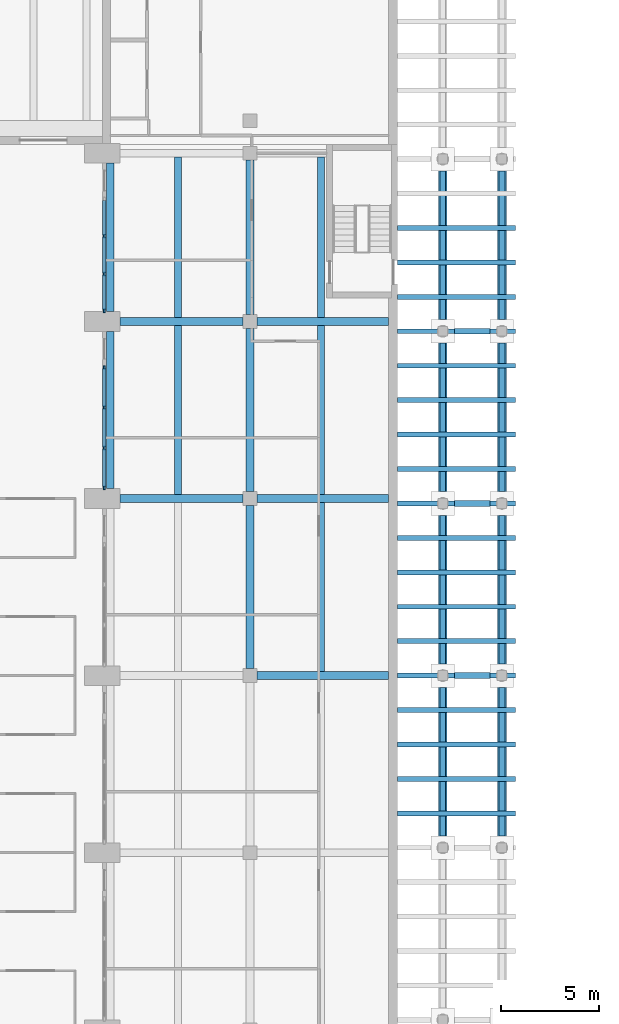
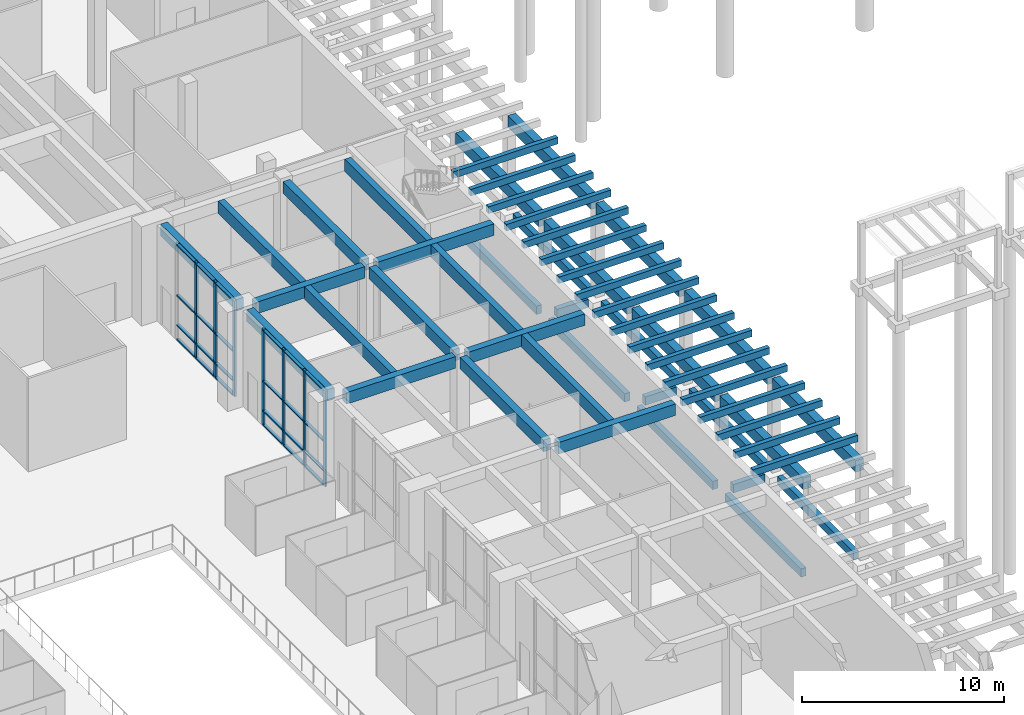
# One storey, part 19 of 51: 52 beams, 31 members, 2 elements without a shape of their own.
"""IFC4 building model written with IfcOpenShell, lengths in metres."""

from ifc_helpers import new_model, si_unit, direction, frame, origin, origin_2d, place, context, subcontext, project, spatial, rectangle, extrude, material, material_profile, profile_set, type_object, element, aggregate, save


model = new_model("IFC4")

# Units and contexts
model_context = context("Model", 3, precision=1e-05, world=origin(), true_north=direction((0.0, 1.0)))
body_context = subcontext(model_context, "Body", "Model", "MODEL_VIEW")
ifc_project = project(units=[si_unit("LENGTHUNIT", "METRE"), si_unit("AREAUNIT", "SQUARE_METRE"), si_unit("VOLUMEUNIT", "CUBIC_METRE"), si_unit("PLANEANGLEUNIT", "RADIAN"), si_unit("MASSUNIT", "GRAM", prefix="KILO")], contexts=[model_context])

# Site, building, storey
site_placement = place(None, origin())
site = spatial("IfcSite", under=ifc_project, at=site_placement, CompositionType="ELEMENT")
building_placement = place(site_placement, origin())
building = spatial("IfcBuilding", under=site, at=building_placement, Name="Elmora Arch Market Hall", CompositionType="ELEMENT")
storey_placement = place(building_placement, origin())
storey = spatial("IfcBuildingStorey", under=building, at=storey_placement, Name="L00", CompositionType="ELEMENT", Elevation=0.0)

# Beams
ifc_material_1 = material(Name="Concrete C32/40", Category="concrete")
ifc_material_profile_1 = material_profile(ifc_material_1, rectangle(XDim=0.25, YDim=0.39990234375, at=origin_2d()), Name="Canopy joist 250x400")
ifc_profile_set_1 = profile_set([ifc_material_profile_1], Name="Concrete C32/40")
beam_type_1 = type_object("IfcBeamType", Name="Canopy joist 250x400", PredefinedType="JOIST", material=ifc_profile_set_1)
for number, where, z_axis, x_axis, name in (
    (1, (58.0, 65.0, 5.64990234375), (1.0, 0.0, 0.0), (0.0, 1.0, 0.0), "Canopy joist PE-J27 L00.1"),
    (2, (58.0, 66.75, 5.64990234375), (1.0, 0.0, 0.0), (0.0, 1.0, 0.0), "Canopy joist PE-J28 L00.1"),
    (3, (58.0, 68.5, 5.64990234375), (1.0, 0.0, 0.0), (0.0, 1.0, 0.0), "Canopy joist PE-J29 L00.1"),
    (4, (58.0, 70.25, 5.64990234375), (1.0, 0.0, 0.0), (0.0, 1.0, 0.0), "Canopy joist PE-J30 L00.1"),
    (5, (58.0, 72.0, 5.64990234375), (1.0, 0.0, 0.0), (0.0, 1.0, 0.0), "Canopy joist PE-J31 L00.1"),
    (6, (58.0, 73.75, 5.64990234375), (1.0, 0.0, 0.0), (0.0, 1.0, 0.0), "Canopy joist PE-J32 L00.1"),
    (7, (58.0, 75.5, 5.64990234375), (1.0, 0.0, 0.0), (0.0, 1.0, 0.0), "Canopy joist PE-J33 L00.1"),
    (8, (58.0, 77.25, 5.64990234375), (1.0, 0.0, 0.0), (0.0, 1.0, 0.0), "Canopy joist PE-J34 L00.1"),
    (9, (58.0, 79.0, 5.64990234375), (1.0, 0.0, 0.0), (0.0, 1.0, 0.0), "Canopy joist PE-J35 L00.1"),
    (10, (58.0, 80.75, 5.64990234375), (1.0, 0.0, 0.0), (0.0, 1.0, 0.0), "Canopy joist PE-J36 L00.1"),
    (11, (58.0, 82.5, 5.64990234375), (1.0, 0.0, 0.0), (0.0, 1.0, 0.0), "Canopy joist PE-J37 L00.1"),
    (12, (58.0, 84.25, 5.64990234375), (1.0, 0.0, 0.0), (0.0, 1.0, 0.0), "Canopy joist PE-J38 L00.1"),
    (13, (58.0, 86.0, 5.64990234375), (1.0, 0.0, 0.0), (0.0, 1.0, 0.0), "Canopy joist PE-J39 L00.1"),
    (14, (58.0, 87.75, 5.64990234375), (1.0, 0.0, 0.0), (0.0, 1.0, 0.0), "Canopy joist PE-J40 L00.1"),
    (15, (58.0, 89.5, 5.64990234375), (1.0, 0.0, 0.0), (0.0, 1.0, 0.0), "Canopy joist PE-J41 L00.1"),
    (16, (58.0, 91.25, 5.64990234375), (1.0, 0.0, 0.0), (0.0, 1.0, 0.0), "Canopy joist PE-J42 L00.1"),
    (17, (58.0, 93.0, 5.64990234375), (1.0, 0.0, 0.0), (0.0, 1.0, 0.0), "Canopy joist PE-J43 L00.1"),
    (18, (58.0, 94.75, 5.64990234375), (1.0, 0.0, 0.0), (0.0, 1.0, 0.0), "Canopy joist PE-J44 L00.1"),
):
    element("IfcBeam", number, at=place(storey_placement, frame(where, z_axis=z_axis, x_axis=x_axis)), inside=storey, type_object=beam_type_1, Name=name, PredefinedType="JOIST", context=body_context, shape_type="SweptSolid", body=[
        extrude(rectangle(XDim=0.25, YDim=0.39990234375, at=origin_2d()), origin(), (0.0, 0.0, 1.0), 6.0),
    ])

# Curtain wall, members
ifc_material_2 = material(Name="Aluminium", Category="aluminium")
curtain_wall_type = type_object("IfcCurtainWallType", Name="Shopfront curtain wall", PredefinedType="NOTDEFINED", material=ifc_material_2)
curtain_wall_1_placement = place(storey_placement, origin())
curtain_wall_1 = element("IfcCurtainWall", 19, at=curtain_wall_1_placement, inside=storey, type_object=curtain_wall_type, Name="Shopfront E 7", PredefinedType="NOTDEFINED")
ifc_material_3 = material(Name="Aluminium", Category="aluminium")
ifc_material_profile_2 = material_profile(ifc_material_3, rectangle(XDim=0.10009765625, YDim=0.219970703125, at=origin_2d()), Name="AL 100x220")
ifc_profile_set_2 = profile_set([ifc_material_profile_2], Name="Aluminium")
member_type_1 = type_object("IfcMemberType", Name="Mullion 100x220", PredefinedType="MULLION", material=ifc_profile_set_2)
member_1_placement = place(storey_placement, frame((43.10009765625, 81.550048828125, 0.0), z_axis=(0.0, 0.0, 1.0), x_axis=(-1.0, 0.0, 0.0)))
member_1 = element("IfcMember", 20, at=member_1_placement, type_object=member_type_1, Name="CW3 mullion 1", PredefinedType="MULLION", context=body_context, shape_type="SweptSolid", body=[
    extrude(rectangle(XDim=0.10009765625, YDim=0.219970703125, at=origin_2d()), origin(), (0.0, 0.0, 1.0), 5.800048828125),
])
member_2_placement = place(storey_placement, frame((43.10009765625, 83.566650390625, 0.0), z_axis=(0.0, 0.0, 1.0), x_axis=(-1.0, 0.0, 0.0)))
member_2 = element("IfcMember", 21, at=member_2_placement, type_object=member_type_1, Name="CW3 mullion 2", PredefinedType="MULLION", context=body_context, shape_type="SweptSolid", body=[
    extrude(rectangle(XDim=0.10009765625, YDim=0.219970703125, at=origin_2d()), origin(), (0.0, 0.0, 1.0), 5.800048828125),
])
member_3_placement = place(storey_placement, frame((43.10009765625, 85.63330078125, 0.0), z_axis=(0.0, 0.0, 1.0), x_axis=(-1.0, 0.0, 0.0)))
member_3 = element("IfcMember", 22, at=member_3_placement, type_object=member_type_1, Name="CW3 mullion 3", PredefinedType="MULLION", context=body_context, shape_type="SweptSolid", body=[
    extrude(rectangle(XDim=0.10009765625, YDim=0.219970703125, at=origin_2d()), origin(), (0.0, 0.0, 1.0), 5.800048828125),
])
member_4_placement = place(storey_placement, frame((43.10009765625, 87.64990234375, 0.0), z_axis=(0.0, 0.0, 1.0), x_axis=(-1.0, 0.0, 0.0)))
member_4 = element("IfcMember", 23, at=member_4_placement, type_object=member_type_1, Name="CW3 mullion 4", PredefinedType="MULLION", context=body_context, shape_type="SweptSolid", body=[
    extrude(rectangle(XDim=0.10009765625, YDim=0.219970703125, at=origin_2d()), origin(), (0.0, 0.0, 1.0), 5.800048828125),
])

curtain_wall_2_placement = place(storey_placement, origin())
curtain_wall_2 = element("IfcCurtainWall", 24, at=curtain_wall_2_placement, inside=storey, type_object=curtain_wall_type, Name="Shopfront E 8", PredefinedType="NOTDEFINED")
member_5_placement = place(storey_placement, frame((43.10009765625, 90.550048828125, 0.0), z_axis=(0.0, 0.0, 1.0), x_axis=(-1.0, 0.0, 0.0)))
member_5 = element("IfcMember", 25, at=member_5_placement, type_object=member_type_1, Name="CW3 mullion 1", PredefinedType="MULLION", context=body_context, shape_type="SweptSolid", body=[
    extrude(rectangle(XDim=0.10009765625, YDim=0.219970703125, at=origin_2d()), origin(), (0.0, 0.0, 1.0), 5.800048828125),
])
member_6_placement = place(storey_placement, frame((43.10009765625, 92.416748046875, 0.0), z_axis=(0.0, 0.0, 1.0), x_axis=(-1.0, 0.0, 0.0)))
member_6 = element("IfcMember", 26, at=member_6_placement, type_object=member_type_1, Name="CW3 mullion 2", PredefinedType="MULLION", context=body_context, shape_type="SweptSolid", body=[
    extrude(rectangle(XDim=0.10009765625, YDim=0.219970703125, at=origin_2d()), origin(), (0.0, 0.0, 1.0), 5.800048828125),
])
member_7_placement = place(storey_placement, frame((43.10009765625, 94.333251953125, 0.0), z_axis=(0.0, 0.0, 1.0), x_axis=(-1.0, 0.0, 0.0)))
member_7 = element("IfcMember", 27, at=member_7_placement, type_object=member_type_1, Name="CW3 mullion 3", PredefinedType="MULLION", context=body_context, shape_type="SweptSolid", body=[
    extrude(rectangle(XDim=0.10009765625, YDim=0.219970703125, at=origin_2d()), origin(), (0.0, 0.0, 1.0), 5.800048828125),
])

# Beams
ifc_material_4 = material(Name="Concrete C32/40", Category="concrete")
ifc_material_profile_3 = material_profile(ifc_material_4, rectangle(XDim=0.300048828125, YDim=0.5, at=origin_2d()), Name="Pad tie beam 300x500")
ifc_profile_set_3 = profile_set([ifc_material_profile_3], Name="Concrete C32/40")
beam_type_2 = type_object("IfcBeamType", Name="Pad tie beam 300x500", PredefinedType="BEAM", material=ifc_profile_set_3)
for number, where, z_axis, x_axis, name in (
    (28, (60.89990234375, 72.0, -0.550048828125), (1.0, 0.0, 0.0), (0.0, 1.0, 0.0), "Pad tie beam 039"),
    (29, (60.89990234375, 80.75, -0.550048828125), (1.0, 0.0, 0.0), (0.0, 1.0, 0.0), "Pad tie beam 040"),
    (30, (60.89990234375, 89.5, -0.550048828125), (1.0, 0.0, 0.0), (0.0, 1.0, 0.0), "Pad tie beam 041"),
):
    element("IfcBeam", number, at=place(storey_placement, frame(where, z_axis=z_axis, x_axis=x_axis)), inside=storey, type_object=beam_type_2, Name=name, PredefinedType="BEAM", context=body_context, shape_type="SweptSolid", body=[
        extrude(rectangle(XDim=0.300048828125, YDim=0.5, at=origin_2d()), origin(), (0.0, 0.0, 1.0), 1.800048828125),
    ])
for number, where, z_axis, x_axis, name in (
    (31, (60.300048828125, 63.85009765625, -0.550048828125), (0.0, 1.0, 0.0), (-1.0, 0.0, 0.0), "Pad tie beam 051"),
    (32, (60.300048828125, 72.60009765625, -0.550048828125), (0.0, 1.0, 0.0), (-1.0, 0.0, 0.0), "Pad tie beam 052"),
    (33, (60.300048828125, 81.35009765625, -0.550048828125), (0.0, 1.0, 0.0), (-1.0, 0.0, 0.0), "Pad tie beam 053"),
    (34, (60.300048828125, 90.10009765625, -0.550048828125), (0.0, 1.0, 0.0), (-1.0, 0.0, 0.0), "Pad tie beam 054"),
    (35, (63.300048828125, 63.85009765625, -0.550048828125), (0.0, 1.0, 0.0), (-1.0, 0.0, 0.0), "Pad tie beam 063"),
    (36, (63.300048828125, 72.60009765625, -0.550048828125), (0.0, 1.0, 0.0), (-1.0, 0.0, 0.0), "Pad tie beam 064"),
    (37, (63.300048828125, 81.35009765625, -0.550048828125), (0.0, 1.0, 0.0), (-1.0, 0.0, 0.0), "Pad tie beam 065"),
    (38, (63.300048828125, 90.10009765625, -0.550048828125), (0.0, 1.0, 0.0), (-1.0, 0.0, 0.0), "Pad tie beam 066"),
):
    element("IfcBeam", number, at=place(storey_placement, frame(where, z_axis=z_axis, x_axis=x_axis)), inside=storey, type_object=beam_type_2, Name=name, PredefinedType="BEAM", context=body_context, shape_type="SweptSolid", body=[
        extrude(rectangle(XDim=0.300048828125, YDim=0.5, at=origin_2d()), origin(), (0.0, 0.0, 1.0), 7.5498046875),
    ])
ifc_material_5 = material(Name="Concrete C32/40", Category="concrete")
ifc_material_profile_4 = material_profile(ifc_material_5, rectangle(XDim=0.449951171875, YDim=0.699951171875, at=origin_2d()), Name="Passage girder 450x700")
ifc_profile_set_4 = profile_set([ifc_material_profile_4], Name="Concrete C32/40")
beam_type_3 = type_object("IfcBeamType", Name="Passage girder 450x700", PredefinedType="BEAM", material=ifc_profile_set_4)
for number, where, z_axis, x_axis, name in (
    (39, (60.300048828125, 63.5, 5.10009765625), (0.0, 1.0, 0.0), (-1.0, 0.0, 0.0), "Passage girder PASS-E-G1 L00.6"),
    (40, (60.300048828125, 72.25, 5.10009765625), (0.0, 1.0, 0.0), (-1.0, 0.0, 0.0), "Passage girder PASS-E-G1 L00.7"),
    (41, (60.300048828125, 81.0, 5.10009765625), (0.0, 1.0, 0.0), (-1.0, 0.0, 0.0), "Passage girder PASS-E-G1 L00.8"),
    (42, (60.300048828125, 89.75, 5.10009765625), (0.0, 1.0, 0.0), (-1.0, 0.0, 0.0), "Passage girder PASS-E-G1 L00.9"),
    (43, (63.300048828125, 63.5, 5.10009765625), (0.0, 1.0, 0.0), (-1.0, 0.0, 0.0), "Passage girder PASS-E-G2 L00.6"),
    (44, (63.300048828125, 72.25, 5.10009765625), (0.0, 1.0, 0.0), (-1.0, 0.0, 0.0), "Passage girder PASS-E-G2 L00.7"),
    (45, (63.300048828125, 81.0, 5.10009765625), (0.0, 1.0, 0.0), (-1.0, 0.0, 0.0), "Passage girder PASS-E-G2 L00.8"),
    (46, (63.300048828125, 89.75, 5.10009765625), (0.0, 1.0, 0.0), (-1.0, 0.0, 0.0), "Passage girder PASS-E-G2 L00.9"),
):
    element("IfcBeam", number, at=place(storey_placement, frame(where, z_axis=z_axis, x_axis=x_axis)), inside=storey, type_object=beam_type_3, Name=name, PredefinedType="BEAM", context=body_context, shape_type="SweptSolid", body=[
        extrude(rectangle(XDim=0.449951171875, YDim=0.699951171875, at=origin_2d()), origin(), (0.0, 0.0, 1.0), 8.25),
    ])

# Member
ifc_material_6 = material(Name="Aluminium", Category="aluminium")
ifc_material_profile_5 = material_profile(ifc_material_6, rectangle(XDim=0.179931640625, YDim=0.074951171875, at=origin_2d()), Name="AL 180x75")
ifc_profile_set_5 = profile_set([ifc_material_profile_5], Name="Aluminium")
member_type_2 = type_object("IfcMemberType", Name="Transom 180x75", PredefinedType="USERDEFINED", material=ifc_profile_set_5)
member_8_placement = place(storey_placement, frame((43.10009765625, 81.60009765625, 0.03759765625), z_axis=(0.0, 1.0, 0.0), x_axis=(-1.0, 0.0, 0.0)))
member_8 = element("IfcMember", 47, at=member_8_placement, type_object=member_type_2, Name="CW3 transom 1.1", ObjectType="TRANSOM", PredefinedType="USERDEFINED", context=body_context, shape_type="SweptSolid", body=[
    extrude(rectangle(XDim=0.179931640625, YDim=0.074951171875, at=origin_2d()), origin(), (0.0, 0.0, 1.0), 1.91650390625),
])

member_9_placement = place(storey_placement, frame((43.10009765625, 81.60009765625, 0.89990234375), z_axis=(0.0, 1.0, 0.0), x_axis=(-1.0, 0.0, 0.0)))
member_9 = element("IfcMember", 48, at=member_9_placement, type_object=member_type_2, Name="CW3 transom 1.2", ObjectType="TRANSOM", PredefinedType="USERDEFINED", context=body_context, shape_type="SweptSolid", body=[
    extrude(rectangle(XDim=0.179931640625, YDim=0.074951171875, at=origin_2d()), origin(), (0.0, 0.0, 1.0), 1.91650390625),
])

member_10_placement = place(storey_placement, frame((43.10009765625, 81.60009765625, 2.699951171875), z_axis=(0.0, 1.0, 0.0), x_axis=(-1.0, 0.0, 0.0)))
member_10 = element("IfcMember", 49, at=member_10_placement, type_object=member_type_2, Name="CW3 transom 1.3", ObjectType="TRANSOM", PredefinedType="USERDEFINED", context=body_context, shape_type="SweptSolid", body=[
    extrude(rectangle(XDim=0.179931640625, YDim=0.074951171875, at=origin_2d()), origin(), (0.0, 0.0, 1.0), 1.91650390625),
])

member_11_placement = place(storey_placement, frame((43.10009765625, 81.60009765625, 5.762451171875), z_axis=(0.0, 1.0, 0.0), x_axis=(-1.0, 0.0, 0.0)))
member_11 = element("IfcMember", 50, at=member_11_placement, type_object=member_type_2, Name="CW3 transom 1.4", ObjectType="TRANSOM", PredefinedType="USERDEFINED", context=body_context, shape_type="SweptSolid", body=[
    extrude(rectangle(XDim=0.179931640625, YDim=0.074951171875, at=origin_2d()), origin(), (0.0, 0.0, 1.0), 1.91650390625),
])

member_12_placement = place(storey_placement, frame((43.10009765625, 83.61669921875, 0.03759765625), z_axis=(0.0, 1.0, 0.0), x_axis=(-1.0, 0.0, 0.0)))
member_12 = element("IfcMember", 51, at=member_12_placement, type_object=member_type_2, Name="CW3 transom 2.1", ObjectType="TRANSOM", PredefinedType="USERDEFINED", context=body_context, shape_type="SweptSolid", body=[
    extrude(rectangle(XDim=0.179931640625, YDim=0.074951171875, at=origin_2d()), origin(), (0.0, 0.0, 1.0), 1.966552734375),
])

member_13_placement = place(storey_placement, frame((43.10009765625, 83.61669921875, 0.89990234375), z_axis=(0.0, 1.0, 0.0), x_axis=(-1.0, 0.0, 0.0)))
member_13 = element("IfcMember", 52, at=member_13_placement, type_object=member_type_2, Name="CW3 transom 2.2", ObjectType="TRANSOM", PredefinedType="USERDEFINED", context=body_context, shape_type="SweptSolid", body=[
    extrude(rectangle(XDim=0.179931640625, YDim=0.074951171875, at=origin_2d()), origin(), (0.0, 0.0, 1.0), 1.966552734375),
])

member_14_placement = place(storey_placement, frame((43.10009765625, 83.61669921875, 2.699951171875), z_axis=(0.0, 1.0, 0.0), x_axis=(-1.0, 0.0, 0.0)))
member_14 = element("IfcMember", 53, at=member_14_placement, type_object=member_type_2, Name="CW3 transom 2.3", ObjectType="TRANSOM", PredefinedType="USERDEFINED", context=body_context, shape_type="SweptSolid", body=[
    extrude(rectangle(XDim=0.179931640625, YDim=0.074951171875, at=origin_2d()), origin(), (0.0, 0.0, 1.0), 1.966552734375),
])

member_15_placement = place(storey_placement, frame((43.10009765625, 83.61669921875, 5.762451171875), z_axis=(0.0, 1.0, 0.0), x_axis=(-1.0, 0.0, 0.0)))
member_15 = element("IfcMember", 54, at=member_15_placement, type_object=member_type_2, Name="CW3 transom 2.4", ObjectType="TRANSOM", PredefinedType="USERDEFINED", context=body_context, shape_type="SweptSolid", body=[
    extrude(rectangle(XDim=0.179931640625, YDim=0.074951171875, at=origin_2d()), origin(), (0.0, 0.0, 1.0), 1.966552734375),
])

member_16_placement = place(storey_placement, frame((43.10009765625, 85.683349609375, 0.03759765625), z_axis=(0.0, 1.0, 0.0), x_axis=(-1.0, 0.0, 0.0)))
member_16 = element("IfcMember", 55, at=member_16_placement, type_object=member_type_2, Name="CW3 transom 3.1", ObjectType="TRANSOM", PredefinedType="USERDEFINED", context=body_context, shape_type="SweptSolid", body=[
    extrude(rectangle(XDim=0.179931640625, YDim=0.074951171875, at=origin_2d()), origin(), (0.0, 0.0, 1.0), 1.916748046875),
])

member_17_placement = place(storey_placement, frame((43.10009765625, 85.683349609375, 0.89990234375), z_axis=(0.0, 1.0, 0.0), x_axis=(-1.0, 0.0, 0.0)))
member_17 = element("IfcMember", 56, at=member_17_placement, type_object=member_type_2, Name="CW3 transom 3.2", ObjectType="TRANSOM", PredefinedType="USERDEFINED", context=body_context, shape_type="SweptSolid", body=[
    extrude(rectangle(XDim=0.179931640625, YDim=0.074951171875, at=origin_2d()), origin(), (0.0, 0.0, 1.0), 1.916748046875),
])

member_18_placement = place(storey_placement, frame((43.10009765625, 85.683349609375, 2.699951171875), z_axis=(0.0, 1.0, 0.0), x_axis=(-1.0, 0.0, 0.0)))
member_18 = element("IfcMember", 57, at=member_18_placement, type_object=member_type_2, Name="CW3 transom 3.3", ObjectType="TRANSOM", PredefinedType="USERDEFINED", context=body_context, shape_type="SweptSolid", body=[
    extrude(rectangle(XDim=0.179931640625, YDim=0.074951171875, at=origin_2d()), origin(), (0.0, 0.0, 1.0), 1.916748046875),
])

member_19_placement = place(storey_placement, frame((43.10009765625, 85.683349609375, 5.762451171875), z_axis=(0.0, 1.0, 0.0), x_axis=(-1.0, 0.0, 0.0)))
member_19 = element("IfcMember", 58, at=member_19_placement, type_object=member_type_2, Name="CW3 transom 3.4", ObjectType="TRANSOM", PredefinedType="USERDEFINED", context=body_context, shape_type="SweptSolid", body=[
    extrude(rectangle(XDim=0.179931640625, YDim=0.074951171875, at=origin_2d()), origin(), (0.0, 0.0, 1.0), 1.916748046875),
])

aggregate(curtain_wall_1, [member_1, member_2, member_3, member_4, member_8, member_9, member_10, member_11, member_12, member_13, member_14, member_15, member_16, member_17, member_18, member_19])

member_20_placement = place(storey_placement, frame((43.10009765625, 90.60009765625, 0.03759765625), z_axis=(0.0, 1.0, 0.0), x_axis=(-1.0, 0.0, 0.0)))
member_20 = element("IfcMember", 59, at=member_20_placement, type_object=member_type_2, Name="CW3 transom 1.1", ObjectType="TRANSOM", PredefinedType="USERDEFINED", context=body_context, shape_type="SweptSolid", body=[
    extrude(rectangle(XDim=0.179931640625, YDim=0.074951171875, at=origin_2d()), origin(), (0.0, 0.0, 1.0), 1.7666015625),
])

member_21_placement = place(storey_placement, frame((43.10009765625, 90.60009765625, 0.89990234375), z_axis=(0.0, 1.0, 0.0), x_axis=(-1.0, 0.0, 0.0)))
member_21 = element("IfcMember", 60, at=member_21_placement, type_object=member_type_2, Name="CW3 transom 1.2", ObjectType="TRANSOM", PredefinedType="USERDEFINED", context=body_context, shape_type="SweptSolid", body=[
    extrude(rectangle(XDim=0.179931640625, YDim=0.074951171875, at=origin_2d()), origin(), (0.0, 0.0, 1.0), 1.7666015625),
])

member_22_placement = place(storey_placement, frame((43.10009765625, 90.60009765625, 2.699951171875), z_axis=(0.0, 1.0, 0.0), x_axis=(-1.0, 0.0, 0.0)))
member_22 = element("IfcMember", 61, at=member_22_placement, type_object=member_type_2, Name="CW3 transom 1.3", ObjectType="TRANSOM", PredefinedType="USERDEFINED", context=body_context, shape_type="SweptSolid", body=[
    extrude(rectangle(XDim=0.179931640625, YDim=0.074951171875, at=origin_2d()), origin(), (0.0, 0.0, 1.0), 1.7666015625),
])

member_23_placement = place(storey_placement, frame((43.10009765625, 90.60009765625, 5.762451171875), z_axis=(0.0, 1.0, 0.0), x_axis=(-1.0, 0.0, 0.0)))
member_23 = element("IfcMember", 62, at=member_23_placement, type_object=member_type_2, Name="CW3 transom 1.4", ObjectType="TRANSOM", PredefinedType="USERDEFINED", context=body_context, shape_type="SweptSolid", body=[
    extrude(rectangle(XDim=0.179931640625, YDim=0.074951171875, at=origin_2d()), origin(), (0.0, 0.0, 1.0), 1.7666015625),
])

member_24_placement = place(storey_placement, frame((43.10009765625, 92.466552734375, 0.03759765625), z_axis=(0.0, 1.0, 0.0), x_axis=(-1.0, 0.0, 0.0)))
member_24 = element("IfcMember", 63, at=member_24_placement, type_object=member_type_2, Name="CW3 transom 2.1", ObjectType="TRANSOM", PredefinedType="USERDEFINED", context=body_context, shape_type="SweptSolid", body=[
    extrude(rectangle(XDim=0.179931640625, YDim=0.074951171875, at=origin_2d()), origin(), (0.0, 0.0, 1.0), 1.81689453125),
])

member_25_placement = place(storey_placement, frame((43.10009765625, 92.466552734375, 0.89990234375), z_axis=(0.0, 1.0, 0.0), x_axis=(-1.0, 0.0, 0.0)))
member_25 = element("IfcMember", 64, at=member_25_placement, type_object=member_type_2, Name="CW3 transom 2.2", ObjectType="TRANSOM", PredefinedType="USERDEFINED", context=body_context, shape_type="SweptSolid", body=[
    extrude(rectangle(XDim=0.179931640625, YDim=0.074951171875, at=origin_2d()), origin(), (0.0, 0.0, 1.0), 1.81689453125),
])

member_26_placement = place(storey_placement, frame((43.10009765625, 92.466552734375, 2.699951171875), z_axis=(0.0, 1.0, 0.0), x_axis=(-1.0, 0.0, 0.0)))
member_26 = element("IfcMember", 65, at=member_26_placement, type_object=member_type_2, Name="CW3 transom 2.3", ObjectType="TRANSOM", PredefinedType="USERDEFINED", context=body_context, shape_type="SweptSolid", body=[
    extrude(rectangle(XDim=0.179931640625, YDim=0.074951171875, at=origin_2d()), origin(), (0.0, 0.0, 1.0), 1.81689453125),
])

member_27_placement = place(storey_placement, frame((43.10009765625, 92.466552734375, 5.762451171875), z_axis=(0.0, 1.0, 0.0), x_axis=(-1.0, 0.0, 0.0)))
member_27 = element("IfcMember", 66, at=member_27_placement, type_object=member_type_2, Name="CW3 transom 2.4", ObjectType="TRANSOM", PredefinedType="USERDEFINED", context=body_context, shape_type="SweptSolid", body=[
    extrude(rectangle(XDim=0.179931640625, YDim=0.074951171875, at=origin_2d()), origin(), (0.0, 0.0, 1.0), 1.81689453125),
])

member_28_placement = place(storey_placement, frame((43.10009765625, 94.38330078125, 0.03759765625), z_axis=(0.0, 1.0, 0.0), x_axis=(-1.0, 0.0, 0.0)))
member_28 = element("IfcMember", 67, at=member_28_placement, type_object=member_type_2, Name="CW3 transom 3.1", ObjectType="TRANSOM", PredefinedType="USERDEFINED", context=body_context, shape_type="SweptSolid", body=[
    extrude(rectangle(XDim=0.179931640625, YDim=0.074951171875, at=origin_2d()), origin(), (0.0, 0.0, 1.0), 1.7666015625),
])

member_29_placement = place(storey_placement, frame((43.10009765625, 94.38330078125, 0.89990234375), z_axis=(0.0, 1.0, 0.0), x_axis=(-1.0, 0.0, 0.0)))
member_29 = element("IfcMember", 68, at=member_29_placement, type_object=member_type_2, Name="CW3 transom 3.2", ObjectType="TRANSOM", PredefinedType="USERDEFINED", context=body_context, shape_type="SweptSolid", body=[
    extrude(rectangle(XDim=0.179931640625, YDim=0.074951171875, at=origin_2d()), origin(), (0.0, 0.0, 1.0), 1.7666015625),
])

member_30_placement = place(storey_placement, frame((43.10009765625, 94.38330078125, 2.699951171875), z_axis=(0.0, 1.0, 0.0), x_axis=(-1.0, 0.0, 0.0)))
member_30 = element("IfcMember", 69, at=member_30_placement, type_object=member_type_2, Name="CW3 transom 3.3", ObjectType="TRANSOM", PredefinedType="USERDEFINED", context=body_context, shape_type="SweptSolid", body=[
    extrude(rectangle(XDim=0.179931640625, YDim=0.074951171875, at=origin_2d()), origin(), (0.0, 0.0, 1.0), 1.7666015625),
])

member_31_placement = place(storey_placement, frame((43.10009765625, 94.38330078125, 5.762451171875), z_axis=(0.0, 1.0, 0.0), x_axis=(-1.0, 0.0, 0.0)))
member_31 = element("IfcMember", 70, at=member_31_placement, type_object=member_type_2, Name="CW3 transom 3.4", ObjectType="TRANSOM", PredefinedType="USERDEFINED", context=body_context, shape_type="SweptSolid", body=[
    extrude(rectangle(XDim=0.179931640625, YDim=0.074951171875, at=origin_2d()), origin(), (0.0, 0.0, 1.0), 1.7666015625),
])

aggregate(curtain_wall_2, [member_5, member_6, member_7, member_20, member_21, member_22, member_23, member_24, member_25, member_26, member_27, member_28, member_29, member_30, member_31])

# Beams
ifc_material_7 = material(Name="Concrete C32/40", Category="concrete")
ifc_material_profile_6 = material_profile(ifc_material_7, rectangle(XDim=0.39990234375, YDim=0.699951171875, at=origin_2d()), Name="Wing beam 400x700")
ifc_profile_set_6 = profile_set([ifc_material_profile_6], Name="Concrete C32/40")
beam_type_4 = type_object("IfcBeamType", Name="Wing beam 400x700", PredefinedType="BEAM", material=ifc_profile_set_6)
beam_1_placement = place(storey_placement, frame((50.85009765625, 72.0, 5.449951171875), z_axis=(1.0, 0.0, 0.0), x_axis=(0.0, 1.0, 0.0)))
element("IfcBeam", 71, at=beam_1_placement, inside=storey, type_object=beam_type_4, Name="Wing beam ER6 L00.2", PredefinedType="BEAM", context=body_context, shape_type="SweptSolid", body=[
    extrude(rectangle(XDim=0.39990234375, YDim=0.699951171875, at=origin_2d()), origin(), (0.0, 0.0, 1.0), 6.699951171875),
])
beam_2_placement = place(storey_placement, frame((43.89990234375, 81.0, 5.449951171875), z_axis=(1.0, 0.0, 0.0), x_axis=(0.0, 1.0, 0.0)))
element("IfcBeam", 72, at=beam_2_placement, inside=storey, type_object=beam_type_4, Name="Wing beam ER7 L00.1", PredefinedType="BEAM", context=body_context, shape_type="SweptSolid", body=[
    extrude(rectangle(XDim=0.39990234375, YDim=0.699951171875, at=origin_2d()), origin(), (0.0, 0.0, 1.0), 6.25),
])
beam_3_placement = place(storey_placement, frame((50.85009765625, 81.0, 5.449951171875), z_axis=(1.0, 0.0, 0.0), x_axis=(0.0, 1.0, 0.0)))
element("IfcBeam", 73, at=beam_3_placement, inside=storey, type_object=beam_type_4, Name="Wing beam ER7 L00.2", PredefinedType="BEAM", context=body_context, shape_type="SweptSolid", body=[
    extrude(rectangle(XDim=0.39990234375, YDim=0.699951171875, at=origin_2d()), origin(), (0.0, 0.0, 1.0), 6.699951171875),
])
beam_4_placement = place(storey_placement, frame((43.89990234375, 90.0, 5.449951171875), z_axis=(1.0, 0.0, 0.0), x_axis=(0.0, 1.0, 0.0)))
element("IfcBeam", 74, at=beam_4_placement, inside=storey, type_object=beam_type_4, Name="Wing beam ER8 L00.1", PredefinedType="BEAM", context=body_context, shape_type="SweptSolid", body=[
    extrude(rectangle(XDim=0.39990234375, YDim=0.699951171875, at=origin_2d()), origin(), (0.0, 0.0, 1.0), 6.25),
])
beam_5_placement = place(storey_placement, frame((50.85009765625, 90.0, 5.449951171875), z_axis=(1.0, 0.0, 0.0), x_axis=(0.0, 1.0, 0.0)))
element("IfcBeam", 75, at=beam_5_placement, inside=storey, type_object=beam_type_4, Name="Wing beam ER8 L00.2", PredefinedType="BEAM", context=body_context, shape_type="SweptSolid", body=[
    extrude(rectangle(XDim=0.39990234375, YDim=0.699951171875, at=origin_2d()), origin(), (0.0, 0.0, 1.0), 6.699951171875),
])
for number, where, z_axis, x_axis, name in (
    (76, (50.5, 72.35009765625, 5.449951171875), (0.0, 1.0, 0.0), (-1.0, 0.0, 0.0), "Wing beam EG L00.6"),
    (77, (50.5, 81.35009765625, 5.449951171875), (0.0, 1.0, 0.0), (-1.0, 0.0, 0.0), "Wing beam EG L00.7"),
):
    element("IfcBeam", number, at=place(storey_placement, frame(where, z_axis=z_axis, x_axis=x_axis)), inside=storey, type_object=beam_type_4, Name=name, PredefinedType="BEAM", context=body_context, shape_type="SweptSolid", body=[
        extrude(rectangle(XDim=0.39990234375, YDim=0.699951171875, at=origin_2d()), origin(), (0.0, 0.0, 1.0), 8.2998046875),
    ])
beam_6_placement = place(storey_placement, frame((50.5, 90.35009765625, 5.449951171875), z_axis=(0.0, 1.0, 0.0), x_axis=(-1.0, 0.0, 0.0)))
element("IfcBeam", 78, at=beam_6_placement, inside=storey, type_object=beam_type_4, Name="Wing beam EG L00.8", PredefinedType="BEAM", context=body_context, shape_type="SweptSolid", body=[
    extrude(rectangle(XDim=0.39990234375, YDim=0.699951171875, at=origin_2d()), origin(), (0.0, 0.0, 1.0), 7.849853515625),
])
beam_7_placement = place(storey_placement, frame((43.39990234375, 81.5, 5.449951171875), z_axis=(0.0, 1.0, 0.0), x_axis=(-1.0, 0.0, 0.0)))
element("IfcBeam", 79, at=beam_7_placement, inside=storey, type_object=beam_type_4, Name="Wing beam EEB L00.7", PredefinedType="BEAM", context=body_context, shape_type="SweptSolid", body=[
    extrude(rectangle(XDim=0.39990234375, YDim=0.699951171875, at=origin_2d()), origin(), (0.0, 0.0, 1.0), 8.0),
])
beam_8_placement = place(storey_placement, frame((43.39990234375, 90.5, 5.449951171875), z_axis=(0.0, 1.0, 0.0), x_axis=(-1.0, 0.0, 0.0)))
element("IfcBeam", 80, at=beam_8_placement, inside=storey, type_object=beam_type_4, Name="Wing beam EEB L00.8", PredefinedType="BEAM", context=body_context, shape_type="SweptSolid", body=[
    extrude(rectangle(XDim=0.39990234375, YDim=0.699951171875, at=origin_2d()), origin(), (0.0, 0.0, 1.0), 7.550048828125),
])
ifc_material_8 = material(Name="Concrete C32/40", Category="concrete")
ifc_material_profile_7 = material_profile(ifc_material_8, rectangle(XDim=0.35009765625, YDim=0.75, at=origin_2d()), Name="Wing joist 350x750")
ifc_profile_set_7 = profile_set([ifc_material_profile_7], Name="Concrete C32/40")
beam_type_5 = type_object("IfcBeamType", Name="Wing joist 350x750", PredefinedType="JOIST", material=ifc_profile_set_7)
beam_9_placement = place(storey_placement, frame((46.85009765625, 81.199951171875, 5.425048828125), z_axis=(0.0, 1.0, 0.0), x_axis=(-1.0, 0.0, 0.0)))
element("IfcBeam", 81, at=beam_9_placement, inside=storey, type_object=beam_type_5, Name="Wing joist EJ1 L00.7", PredefinedType="JOIST", context=body_context, shape_type="SweptSolid", body=[
    extrude(rectangle(XDim=0.35009765625, YDim=0.75, at=origin_2d()), origin(), (0.0, 0.0, 1.0), 8.60009765625),
])
beam_10_placement = place(storey_placement, frame((46.85009765625, 90.199951171875, 5.425048828125), z_axis=(0.0, 1.0, 0.0), x_axis=(-1.0, 0.0, 0.0)))
element("IfcBeam", 82, at=beam_10_placement, inside=storey, type_object=beam_type_5, Name="Wing joist EJ1 L00.8", PredefinedType="JOIST", context=body_context, shape_type="SweptSolid", body=[
    extrude(rectangle(XDim=0.35009765625, YDim=0.75, at=origin_2d()), origin(), (0.0, 0.0, 1.0), 8.150146484375),
])
for number, where, z_axis, x_axis, name in (
    (83, (54.10009765625, 72.199951171875, 5.425048828125), (0.0, 1.0, 0.0), (-1.0, 0.0, 0.0), "Wing joist EJ2 L00.6"),
    (84, (54.10009765625, 81.199951171875, 5.425048828125), (0.0, 1.0, 0.0), (-1.0, 0.0, 0.0), "Wing joist EJ2 L00.7"),
):
    element("IfcBeam", number, at=place(storey_placement, frame(where, z_axis=z_axis, x_axis=x_axis)), inside=storey, type_object=beam_type_5, Name=name, PredefinedType="JOIST", context=body_context, shape_type="SweptSolid", body=[
        extrude(rectangle(XDim=0.35009765625, YDim=0.75, at=origin_2d()), origin(), (0.0, 0.0, 1.0), 8.60009765625),
    ])
beam_11_placement = place(storey_placement, frame((54.10009765625, 90.199951171875, 5.425048828125), z_axis=(0.0, 1.0, 0.0), x_axis=(-1.0, 0.0, 0.0)))
element("IfcBeam", 85, at=beam_11_placement, inside=storey, type_object=beam_type_5, Name="Wing joist EJ2 L00.8", PredefinedType="JOIST", context=body_context, shape_type="SweptSolid", body=[
    extrude(rectangle(XDim=0.35009765625, YDim=0.75, at=origin_2d()), origin(), (0.0, 0.0, 1.0), 8.150146484375),
])

save(model, "model.ifc")
